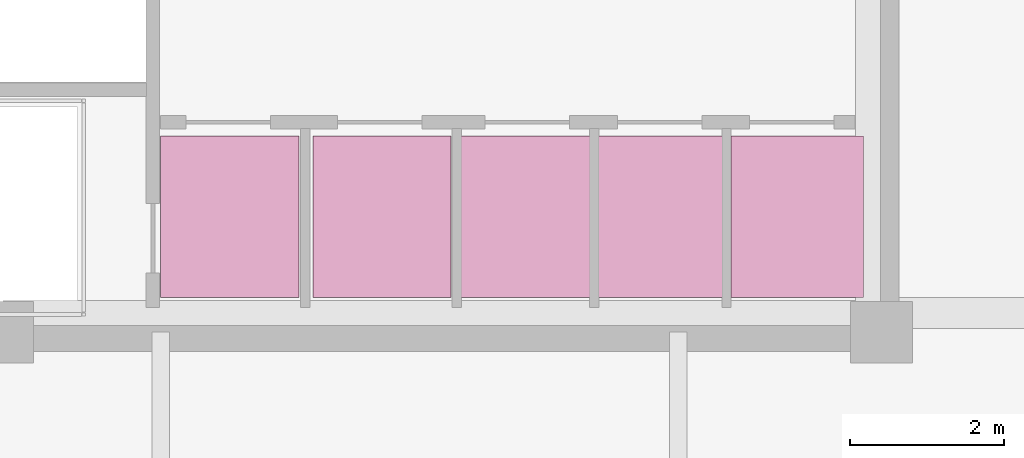
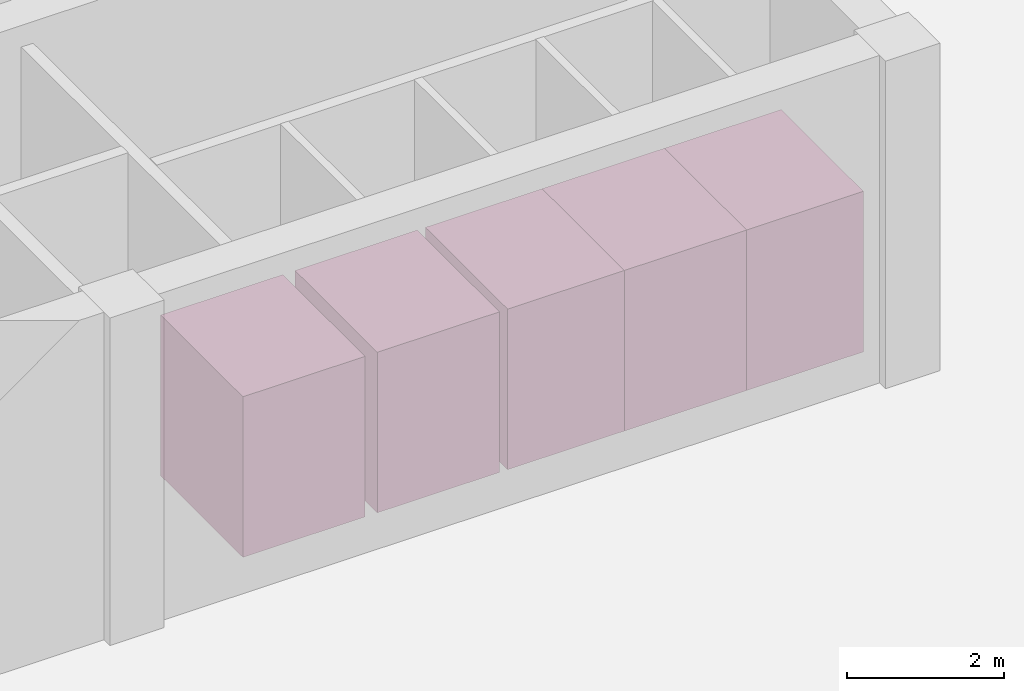
# One storey, part 21 of 21: 5 transport elements.
"""IFC4 building model written with IfcOpenShell, lengths in metres."""

import ifcopenshell
import ifcopenshell.guid

model = None  # the IFC model being written
_history = None  # IfcOwnerHistory: only IFC2X3 demands one
_inside = {}  # id of a spatial element -> (the spatial element, [elements in it])
_under = {}  # id of a project, library or spatial element -> (it, [spatial elements below it])
_declared = {}  # id of a project -> (the project, [libraries it declares])
_typed = {}  # id of a type object -> (the type object, [elements of that type])
_made_of = {}  # id of a material, layer set ... -> (it, [elements and type objects made of it])


def new_model(schema):
    """Start an empty IFC model of exactly this schema.

    Asked for "IFC4X3", IfcOpenShell would pick the latest addendum, in which some entities
    have other attributes; the version numbers below select the first issue.
    IFC2X3 requires an IfcOwnerHistory on every rooted entity: one is made here for all.
    """
    global model, _history
    if schema == "IFC4X3":
        model = ifcopenshell.file(schema_version=(4, 3, 0, 0))
    else:
        model = ifcopenshell.file(schema=schema)
    _inside.clear()
    _under.clear()
    _declared.clear()
    _typed.clear()
    _made_of.clear()
    _history = None
    if model.schema == "IFC2X3":
        org = make("IfcOrganization", Name="unknown")
        user = make(
            "IfcPersonAndOrganization",
            ThePerson=make("IfcPerson", FamilyName="unknown"),
            TheOrganization=org,
        )
        app = make(
            "IfcApplication",
            ApplicationDeveloper=org,
            Version="unknown",
            ApplicationFullName="unknown",
            ApplicationIdentifier="unknown",
        )
        _history = make(
            "IfcOwnerHistory",
            OwningUser=user,
            OwningApplication=app,
            ChangeAction="ADDED",
            CreationDate=0,
        )
    return model


def make(cls, **values):
    """One entity of the class cls with the attributes given. An attribute that is None is left unset."""
    return model.create_entity(
        cls, **{name: value for name, value in values.items() if value is not None}
    )


def rooted(cls, **values):
    """An entity with a GlobalId (a new one), such as an element, a storey or a relation."""
    return make(cls, GlobalId=ifcopenshell.guid.new(), OwnerHistory=_history, **values)


def si_unit(unit_type, name, prefix=None):
    """IfcSIUnit, for example si_unit("LENGTHUNIT", "METRE", prefix="MILLI")."""
    return make("IfcSIUnit", UnitType=unit_type, Prefix=prefix, Name=name)


def assignment(units):
    """IfcUnitAssignment: the units of a project."""
    return None if units is None else make("IfcUnitAssignment", Units=units)


def point(xyz):
    """IfcCartesianPoint."""
    return None if xyz is None else make("IfcCartesianPoint", Coordinates=xyz)


def direction(xyz):
    """IfcDirection."""
    return None if xyz is None else make("IfcDirection", DirectionRatios=xyz)


def frame(location, z_axis=None, x_axis=None):
    """IfcAxis2Placement3D, a coordinate frame: its origin and axes. An axis left out is left unset."""
    return make(
        "IfcAxis2Placement3D",
        Location=point(location),
        Axis=direction(z_axis),
        RefDirection=direction(x_axis),
    )


def frame_2d(location, x_axis=None):
    """IfcAxis2Placement2D, a coordinate frame in the plane: its origin and x axis."""
    return make(
        "IfcAxis2Placement2D", Location=point(location), RefDirection=direction(x_axis)
    )


def origin():
    """The frame at (0, 0, 0) with its axes left unset."""
    return frame((0.0, 0.0, 0.0))


def origin_2d():
    """The frame at (0, 0) in the plane with its x axis left unset."""
    return frame_2d((0.0, 0.0))


def place(relative_to, where):
    """IfcLocalPlacement: puts the frame where relative to a parent placement (None: the world)."""
    return make(
        "IfcLocalPlacement", PlacementRelTo=relative_to, RelativePlacement=where
    )


def context(
    kind, dimensions, precision=None, world=None, true_north=None, identifier=None
):
    """IfcGeometricRepresentationContext, for example the 3D "Model" context."""
    return make(
        "IfcGeometricRepresentationContext",
        ContextIdentifier=identifier,
        ContextType=kind,
        CoordinateSpaceDimension=dimensions,
        Precision=precision,
        WorldCoordinateSystem=world,
        TrueNorth=true_north,
    )


def subcontext(parent, identifier, kind, view, scale=None):
    """IfcGeometricRepresentationSubContext, for example "Body" below "Model"."""
    return make(
        "IfcGeometricRepresentationSubContext",
        ContextIdentifier=identifier,
        ContextType=kind,
        ParentContext=parent,
        TargetScale=scale,
        TargetView=view,
    )


def project(units=None, contexts=None):
    """IfcProject with its units and contexts."""
    return rooted(
        "IfcProject",
        Name="project",
        RepresentationContexts=contexts,
        UnitsInContext=assignment(units),
    )


def spatial(cls, under=None, at=None, **own):
    """A site, building, storey or space (cls), placed at a placement, below another one or the project."""
    s = rooted(cls, ObjectPlacement=at, **own)
    if under is not None:
        _under.setdefault(under.id(), (under, []))[1].append(s)
    return s


def profile(cls, at=None, kind="AREA", **sizes):
    """A parametric profile (cls). Its sizes go by their IFC names, for example OverallWidth=200.0."""
    return make(cls, ProfileType=kind, Position=at, **sizes)


def rectangle(**sizes):
    """IfcRectangleProfileDef."""
    return profile("IfcRectangleProfileDef", **sizes)


def extrude(swept, where, along, depth):
    """IfcExtrudedAreaSolid: the profile swept, set in the frame where, extruded along a direction by depth."""
    return make(
        "IfcExtrudedAreaSolid",
        SweptArea=swept,
        Position=where,
        ExtrudedDirection=direction(along),
        Depth=depth,
    )


def shape(context_of_items, identifier, shape_type, items):
    """IfcShapeRepresentation: the items that make up one representation, for example the "Body"."""
    return make(
        "IfcShapeRepresentation",
        ContextOfItems=context_of_items,
        RepresentationIdentifier=identifier,
        RepresentationType=shape_type,
        Items=items,
    )


def material(Name=None, Category=None):
    """IfcMaterial."""
    return make("IfcMaterial", Name=Name, Category=Category)


def made_of(thing, what):
    """Note that an element or type object is made of a material, layer set ...; save() writes the relation."""
    if what is not None:
        _made_of.setdefault(what.id(), (what, []))[1].append(thing)
    return thing


def type_object(cls, material=None, **own):
    """A type object (cls), such as IfcWallType, which elements share."""
    return made_of(rooted(cls, **own), material)


def element(
    cls,
    number,
    at=None,
    inside=None,
    cuts=None,
    type_object=None,
    material=None,
    context=None,
    identifier="Body",
    shape_type=None,
    held_by="IfcProductDefinitionShape",
    body=None,
    shapes=None,
    **own,
):
    """One element of the class cls, such as IfcWall. Its Tag is "e" and its number.

    at: its placement. inside: the storey or other place that contains it. cuts: it is an
    opening in that element (IfcRelVoidsElement). A single representation is given by context,
    identifier, shape_type and body (its items); several are given by shapes. held_by: the class
    of the entity that holds the representations. save() writes the other relations.
    """
    e = rooted(cls, Tag="e%d" % number, ObjectPlacement=at, **own)
    if body is not None:
        shapes = [shape(context, identifier, shape_type, body)]
    if shapes is not None:
        e.Representation = make(held_by, Representations=shapes)
    if inside is not None:
        _inside.setdefault(inside.id(), (inside, []))[1].append(e)
    if cuts is not None:
        rooted(
            "IfcRelVoidsElement", RelatingBuildingElement=cuts, RelatedOpeningElement=e
        )
    if type_object is not None:
        _typed.setdefault(type_object.id(), (type_object, []))[1].append(e)
    return made_of(e, material)


def aggregate(whole, parts):
    """IfcRelAggregates: a whole, such as a stair, and the parts it consists of."""
    return rooted("IfcRelAggregates", RelatingObject=whole, RelatedObjects=parts)


def save(model, path):
    """Write the relations noted so far, then the file.

    IfcRelAggregates (storeys below a building ...), IfcRelContainedInSpatialStructure (elements
    in a storey), IfcRelDefinesByType, IfcRelAssociatesMaterial and IfcRelDeclares: one each for
    every whole, place, type object, material and project.
    """
    for whole, parts in _under.values():
        aggregate(whole, parts)
    for where, things in _inside.values():
        rooted(
            "IfcRelContainedInSpatialStructure",
            RelatedElements=things,
            RelatingStructure=where,
        )
    for kind, things in _typed.values():
        rooted("IfcRelDefinesByType", RelatedObjects=things, RelatingType=kind)
    for what, things in _made_of.values():
        rooted("IfcRelAssociatesMaterial", RelatedObjects=things, RelatingMaterial=what)
    for by, libraries in _declared.values():
        rooted("IfcRelDeclares", RelatingContext=by, RelatedDefinitions=libraries)
    model.write(path)


model = new_model("IFC4")

# Units and contexts
model_context = context("Model", 3, precision=1e-05, world=origin(), true_north=direction((0.0, 1.0)))
body_context = subcontext(model_context, "Body", "Model", "MODEL_VIEW")
ifc_project = project(units=[si_unit("LENGTHUNIT", "METRE"), si_unit("AREAUNIT", "SQUARE_METRE"), si_unit("VOLUMEUNIT", "CUBIC_METRE"), si_unit("PLANEANGLEUNIT", "RADIAN"), si_unit("MASSUNIT", "GRAM", prefix="KILO")], contexts=[model_context])

# Site, building, storey
site_placement = place(None, origin())
site = spatial("IfcSite", under=ifc_project, at=site_placement, CompositionType="ELEMENT")
building_placement = place(site_placement, origin())
building = spatial("IfcBuilding", under=site, at=building_placement, Name="Qhalaya Broadcast Tower", CompositionType="ELEMENT")
storey_placement = place(building_placement, origin())
storey = spatial("IfcBuildingStorey", under=building, at=storey_placement, Name="L00", CompositionType="ELEMENT", Elevation=0.0)

# Transport elements
ifc_material = material(Name="Brushed Stainless Steel Lift Car", Category="steel")
transport_element_type = type_object("IfcTransportElementType", Name="High-Speed Passenger Lift Car 1800x2100", PredefinedType="ELEVATOR", material=ifc_material)
for number, where, z_axis, x_axis, name in (
    (1, (0.89990234375, -7.25, 0.0), (0.0, 0.0, 1.0), (1.0, 0.0, 0.0), "Lift P4"),
    (2, (2.8798828125, -7.25, 0.0), (0.0, 0.0, 1.0), (1.0, 0.0, 0.0), "Lift P5"),
    (3, (4.800048828125, -7.25, 0.0), (0.0, 0.0, 1.0), (1.0, 0.0, 0.0), "Lift P6"),
    (4, (6.52001953125, -7.25, 0.0), (0.0, 0.0, 1.0), (1.0, 0.0, 0.0), "Lift P7"),
    (5, (8.239990234375, -7.25, 0.0), (0.0, 0.0, 1.0), (1.0, 0.0, 0.0), "Lift P8"),
):
    element("IfcTransportElement", number, at=place(storey_placement, frame(where, z_axis=z_axis, x_axis=x_axis)), inside=storey, type_object=transport_element_type, Name=name, PredefinedType="ELEVATOR", context=body_context, shape_type="SweptSolid", body=[
        extrude(rectangle(XDim=1.800048828125, YDim=2.10009765625, at=origin_2d()), origin(), (0.0, 0.0, 1.0), 2.5),
    ])

save(model, "model.ifc")
